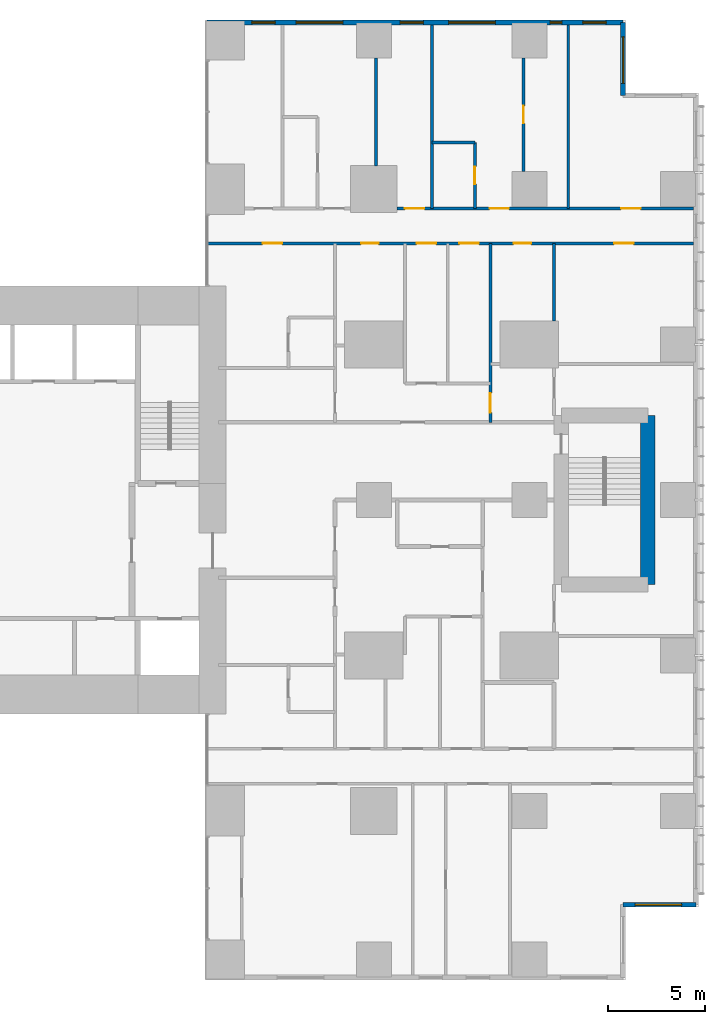
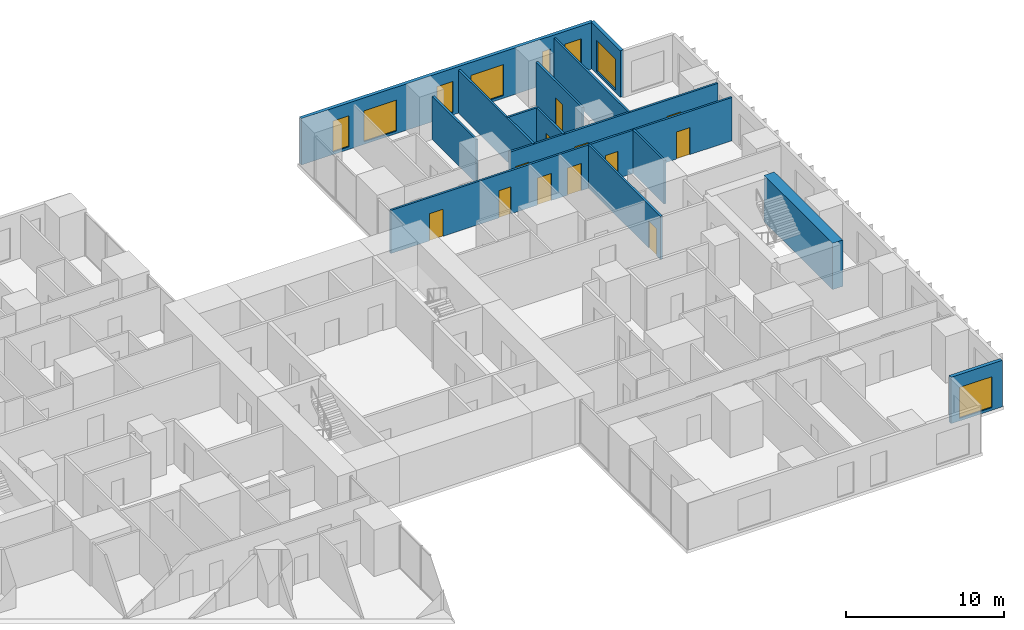
# One storey, part 18 of 20: 14 walls, 12 doors, 8 windows, 20 openings.
"""IFC4 building model written with IfcOpenShell, lengths in metres."""

from ifc_helpers import new_model, si_unit, direction, frame, frame_2d, origin, place, context, subcontext, project, spatial, rectangle, extrude, material, layer, layer_set, type_object, element, fill, save


model = new_model("IFC4")

# Units and contexts
model_context = context("Model", 3, precision=1e-05, world=origin(), true_north=direction((0.0, 1.0)))
body_context = subcontext(model_context, "Body", "Model", "MODEL_VIEW")
ifc_project = project(units=[si_unit("LENGTHUNIT", "METRE"), si_unit("AREAUNIT", "SQUARE_METRE"), si_unit("VOLUMEUNIT", "CUBIC_METRE"), si_unit("PLANEANGLEUNIT", "RADIAN"), si_unit("MASSUNIT", "GRAM", prefix="KILO")], contexts=[model_context])

# Site, building, storey
site_placement = place(None, origin())
site = spatial("IfcSite", under=ifc_project, at=site_placement, CompositionType="ELEMENT")
building_placement = place(site_placement, origin())
building = spatial("IfcBuilding", under=site, at=building_placement, Name="Cleftline Residences", CompositionType="ELEMENT")
storey_placement = place(building_placement, frame((0.0, 0.0, 203.800048828125)))
storey = spatial("IfcBuildingStorey", under=building, at=storey_placement, Name="L53", CompositionType="ELEMENT", Elevation=203.800048828125)

# Wall, opening, window
ifc_material_1 = material(Name="Rendered reinforced concrete blockwork", Category="masonry")
ifc_layer_1 = layer(ifc_material_1, 0.25)
ifc_layer_set_1 = layer_set([ifc_layer_1], Name="EXTERNAL WALL 250")
wall_type_1 = type_object("IfcWallType", Name="EXTERNAL WALL 250", PredefinedType="SOLIDWALL", material=ifc_layer_set_1)
wall_1_placement = place(storey_placement, frame((62.824951171875, 3.175048828125, 0.0), z_axis=(0.0, 0.0, 1.0), x_axis=(1.0, 0.0, 0.0)))
wall_1 = element("IfcWall", 1, at=wall_1_placement, inside=storey, type_object=wall_type_1, Name="External wall", PredefinedType="SOLIDWALL", context=body_context, shape_type="SweptSolid", body=[
    extrude(rectangle(XDim=3.75, YDim=0.25, at=frame_2d((1.875, 0.0))), origin(), (0.0, 0.0, 1.0), 3.599853515625),
])
opening_1_placement = place(wall_1_placement, frame((0.612548828125, 0.0, 0.199951171875)))
opening_1 = element("IfcOpeningElement", 2, at=opening_1_placement, cuts=wall_1, Name="Opening W9", PredefinedType="OPENING", context=body_context, shape_type="SweptSolid", body=[
    extrude(rectangle(XDim=2.39990234375, YDim=2.39990234375, at=frame_2d((1.199951171875, 1.199951171875))), frame((0.0, 0.135009765625, 0.0), z_axis=(0.0, -1.0, 0.0), x_axis=(1.0, 0.0, 0.0)), (0.0, 0.0, 1.0), 0.27001953125),
])
ifc_material_2 = material(Name="Aluminium frame, clear double glazing", Category="aluminium")
window_type_1 = type_object("IfcWindowType", Name="WINDOW 2400X2400", PartitioningType="DOUBLE_PANEL_VERTICAL", PredefinedType="WINDOW", material=ifc_material_2)
window_1_placement = place(opening_1_placement, origin())
window_1 = element("IfcWindow", 3, at=window_1_placement, inside=storey, type_object=window_type_1, Name="Window", OverallHeight=2.39990234375, OverallWidth=2.39990234375, PartitioningType="SINGLE_PANEL", PredefinedType="WINDOW", context=body_context, shape_type="SweptSolid", body=[
    extrude(rectangle(XDim=2.39990234375, YDim=2.39990234375, at=frame_2d((1.199951171875, 1.199951171875))), frame((0.0, 0.030029296875, 0.0), z_axis=(0.0, -1.0, 0.0), x_axis=(1.0, 0.0, 0.0)), (0.0, 0.0, 1.0), 0.06005859375),
])
fill(opening_1, window_1)

wall_2_placement = place(storey_placement, frame((62.824951171875, 44.824951171875, 0.0), z_axis=(0.0, 0.0, 1.0), x_axis=(0.0, 1.0, 0.0)))
wall_2 = element("IfcWall", 4, at=wall_2_placement, inside=storey, type_object=wall_type_1, Name="External wall", PredefinedType="SOLIDWALL", context=body_context, shape_type="SweptSolid", body=[
    extrude(rectangle(XDim=3.75, YDim=0.25, at=frame_2d((1.875, 0.0))), origin(), (0.0, 0.0, 1.0), 3.599853515625),
])
opening_2_placement = place(wall_2_placement, frame((0.612548828125, 0.0, 0.199951171875)))
opening_2 = element("IfcOpeningElement", 5, at=opening_2_placement, cuts=wall_2, Name="Opening W9", PredefinedType="OPENING", context=body_context, shape_type="SweptSolid", body=[
    extrude(rectangle(XDim=2.39990234375, YDim=2.39990234375, at=frame_2d((1.199951171875, 1.199951171875))), frame((0.0, 0.135009765625, 0.0), z_axis=(0.0, -1.0, 0.0), x_axis=(1.0, 0.0, 0.0)), (0.0, 0.0, 1.0), 0.27001953125),
])
window_2_placement = place(opening_2_placement, origin())
window_2 = element("IfcWindow", 6, at=window_2_placement, inside=storey, type_object=window_type_1, Name="Window", OverallHeight=2.39990234375, OverallWidth=2.39990234375, PartitioningType="SINGLE_PANEL", PredefinedType="WINDOW", context=body_context, shape_type="SweptSolid", body=[
    extrude(rectangle(XDim=2.39990234375, YDim=2.39990234375, at=frame_2d((1.199951171875, 1.199951171875))), frame((0.0, 0.030029296875, 0.0), z_axis=(0.0, -1.0, 0.0), x_axis=(1.0, 0.0, 0.0)), (0.0, 0.0, 1.0), 0.06005859375),
])
fill(opening_2, window_2)

# Wall, openings, windows
wall_3_placement = place(storey_placement, frame((62.824951171875, 48.574951171875, 0.0), z_axis=(0.0, 0.0, 1.0), x_axis=(-1.0, 0.0, 0.0)))
wall_3 = element("IfcWall", 7, at=wall_3_placement, inside=storey, type_object=wall_type_1, Name="External wall", PredefinedType="SOLIDWALL", context=body_context, shape_type="SweptSolid", body=[
    extrude(rectangle(XDim=21.39990234375, YDim=0.25, at=frame_2d((10.699951171875, 0.0))), origin(), (0.0, 0.0, 1.0), 3.599853515625),
])
opening_3_placement = place(wall_3_placement, frame((0.875, 0.0, 0.199951171875)))
opening_3 = element("IfcOpeningElement", 8, at=opening_3_placement, cuts=wall_3, Name="Opening W13", PredefinedType="OPENING", context=body_context, shape_type="SweptSolid", body=[
    extrude(rectangle(XDim=1.199951171875, YDim=2.39990234375, at=frame_2d((0.60009765625, 1.199951171875))), frame((0.0, 0.135009765625, 0.0), z_axis=(0.0, -1.0, 0.0), x_axis=(1.0, 0.0, 0.0)), (0.0, 0.0, 1.0), 0.27001953125),
])
opening_4_placement = place(wall_3_placement, frame((3.14990234375, 0.0, 0.199951171875)))
opening_4 = element("IfcOpeningElement", 9, at=opening_4_placement, cuts=wall_3, Name="Opening W14", PredefinedType="OPENING", context=body_context, shape_type="SweptSolid", body=[
    extrude(rectangle(XDim=0.60009765625, YDim=2.39990234375, at=frame_2d((0.300048828125, 1.199951171875))), frame((0.0, 0.135009765625, 0.0), z_axis=(0.0, -1.0, 0.0), x_axis=(1.0, 0.0, 0.0)), (0.0, 0.0, 1.0), 0.27001953125),
])
opening_5_placement = place(wall_3_placement, frame((6.574951171875, 0.0, 0.199951171875)))
opening_5 = element("IfcOpeningElement", 10, at=opening_5_placement, cuts=wall_3, Name="Opening W9", PredefinedType="OPENING", context=body_context, shape_type="SweptSolid", body=[
    extrude(rectangle(XDim=2.39990234375, YDim=2.39990234375, at=frame_2d((1.199951171875, 1.199951171875))), frame((0.0, 0.135009765625, 0.0), z_axis=(0.0, -1.0, 0.0), x_axis=(1.0, 0.0, 0.0)), (0.0, 0.0, 1.0), 0.27001953125),
])
opening_6_placement = place(wall_3_placement, frame((10.27490234375, 0.0, 0.199951171875)))
opening_6 = element("IfcOpeningElement", 11, at=opening_6_placement, cuts=wall_3, Name="Opening W13", PredefinedType="OPENING", context=body_context, shape_type="SweptSolid", body=[
    extrude(rectangle(XDim=1.199951171875, YDim=2.39990234375, at=frame_2d((0.60009765625, 1.199951171875))), frame((0.0, 0.135009765625, 0.0), z_axis=(0.0, -1.0, 0.0), x_axis=(1.0, 0.0, 0.0)), (0.0, 0.0, 1.0), 0.27001953125),
])
opening_7_placement = place(wall_3_placement, frame((14.425048828125, 0.0, 0.199951171875)))
opening_7 = element("IfcOpeningElement", 12, at=opening_7_placement, cuts=wall_3, Name="Opening W9", PredefinedType="OPENING", context=body_context, shape_type="SweptSolid", body=[
    extrude(rectangle(XDim=2.39990234375, YDim=2.39990234375, at=frame_2d((1.199951171875, 1.199951171875))), frame((0.0, 0.135009765625, 0.0), z_axis=(0.0, -1.0, 0.0), x_axis=(1.0, 0.0, 0.0)), (0.0, 0.0, 1.0), 0.27001953125),
])
opening_8_placement = place(wall_3_placement, frame((17.89990234375, 0.0, 0.199951171875)))
opening_8 = element("IfcOpeningElement", 13, at=opening_8_placement, cuts=wall_3, Name="Opening W13", PredefinedType="OPENING", context=body_context, shape_type="SweptSolid", body=[
    extrude(rectangle(XDim=1.199951171875, YDim=2.39990234375, at=frame_2d((0.60009765625, 1.199951171875))), frame((0.0, 0.135009765625, 0.0), z_axis=(0.0, -1.0, 0.0), x_axis=(1.0, 0.0, 0.0)), (0.0, 0.0, 1.0), 0.27001953125),
])
ifc_material_3 = material(Name="Aluminium frame, clear double glazing", Category="aluminium")
window_type_2 = type_object("IfcWindowType", Name="WINDOW 1200X2400", PartitioningType="DOUBLE_PANEL_VERTICAL", PredefinedType="WINDOW", material=ifc_material_3)
window_3_placement = place(opening_3_placement, origin())
window_3 = element("IfcWindow", 14, at=window_3_placement, inside=storey, type_object=window_type_2, Name="Window", OverallHeight=2.39990234375, OverallWidth=1.199951171875, PartitioningType="SINGLE_PANEL", PredefinedType="WINDOW", context=body_context, shape_type="SweptSolid", body=[
    extrude(rectangle(XDim=1.199951171875, YDim=2.39990234375, at=frame_2d((0.60009765625, 1.199951171875))), frame((0.0, 0.030029296875, 0.0), z_axis=(0.0, -1.0, 0.0), x_axis=(1.0, 0.0, 0.0)), (0.0, 0.0, 1.0), 0.06005859375),
])
fill(opening_3, window_3)
window_4_placement = place(opening_6_placement, origin())
window_4 = element("IfcWindow", 15, at=window_4_placement, inside=storey, type_object=window_type_2, Name="Window", OverallHeight=2.39990234375, OverallWidth=1.199951171875, PartitioningType="SINGLE_PANEL", PredefinedType="WINDOW", context=body_context, shape_type="SweptSolid", body=[
    extrude(rectangle(XDim=1.199951171875, YDim=2.39990234375, at=frame_2d((0.60009765625, 1.199951171875))), frame((0.0, 0.030029296875, 0.0), z_axis=(0.0, -1.0, 0.0), x_axis=(1.0, 0.0, 0.0)), (0.0, 0.0, 1.0), 0.06005859375),
])
fill(opening_6, window_4)
window_5_placement = place(opening_8_placement, origin())
window_5 = element("IfcWindow", 16, at=window_5_placement, inside=storey, type_object=window_type_2, Name="Window", OverallHeight=2.39990234375, OverallWidth=1.199951171875, PartitioningType="SINGLE_PANEL", PredefinedType="WINDOW", context=body_context, shape_type="SweptSolid", body=[
    extrude(rectangle(XDim=1.199951171875, YDim=2.39990234375, at=frame_2d((0.60009765625, 1.199951171875))), frame((0.0, 0.030029296875, 0.0), z_axis=(0.0, -1.0, 0.0), x_axis=(1.0, 0.0, 0.0)), (0.0, 0.0, 1.0), 0.06005859375),
])
fill(opening_8, window_5)
window_6_placement = place(opening_5_placement, origin())
window_6 = element("IfcWindow", 17, at=window_6_placement, inside=storey, type_object=window_type_1, Name="Window", OverallHeight=2.39990234375, OverallWidth=2.39990234375, PartitioningType="SINGLE_PANEL", PredefinedType="WINDOW", context=body_context, shape_type="SweptSolid", body=[
    extrude(rectangle(XDim=2.39990234375, YDim=2.39990234375, at=frame_2d((1.199951171875, 1.199951171875))), frame((0.0, 0.030029296875, 0.0), z_axis=(0.0, -1.0, 0.0), x_axis=(1.0, 0.0, 0.0)), (0.0, 0.0, 1.0), 0.06005859375),
])
fill(opening_5, window_6)
window_7_placement = place(opening_7_placement, origin())
window_7 = element("IfcWindow", 18, at=window_7_placement, inside=storey, type_object=window_type_1, Name="Window", OverallHeight=2.39990234375, OverallWidth=2.39990234375, PartitioningType="SINGLE_PANEL", PredefinedType="WINDOW", context=body_context, shape_type="SweptSolid", body=[
    extrude(rectangle(XDim=2.39990234375, YDim=2.39990234375, at=frame_2d((1.199951171875, 1.199951171875))), frame((0.0, 0.030029296875, 0.0), z_axis=(0.0, -1.0, 0.0), x_axis=(1.0, 0.0, 0.0)), (0.0, 0.0, 1.0), 0.06005859375),
])
fill(opening_7, window_7)
ifc_material_4 = material(Name="Aluminium frame, clear double glazing", Category="aluminium")
window_type_3 = type_object("IfcWindowType", Name="WINDOW 600X2400", PartitioningType="DOUBLE_PANEL_VERTICAL", PredefinedType="WINDOW", material=ifc_material_4)
window_8_placement = place(opening_4_placement, origin())
window_8 = element("IfcWindow", 19, at=window_8_placement, inside=storey, type_object=window_type_3, Name="Window", OverallHeight=2.39990234375, OverallWidth=0.60009765625, PartitioningType="SINGLE_PANEL", PredefinedType="WINDOW", context=body_context, shape_type="SweptSolid", body=[
    extrude(rectangle(XDim=0.60009765625, YDim=2.39990234375, at=frame_2d((0.300048828125, 1.199951171875))), frame((0.0, 0.030029296875, 0.0), z_axis=(0.0, -1.0, 0.0), x_axis=(1.0, 0.0, 0.0)), (0.0, 0.0, 1.0), 0.06005859375),
])
fill(opening_4, window_8)

# Wall, openings, doors
ifc_material_5 = material(Name="Gypsum board on steel studs", Category="steel")
ifc_layer_2 = layer(ifc_material_5, 0.14990234375)
ifc_layer_set_2 = layer_set([ifc_layer_2], Name="PARTITION 150")
wall_type_2 = type_object("IfcWallType", Name="PARTITION 150", PredefinedType="PARTITIONING", material=ifc_layer_set_2)
wall_4_placement = place(storey_placement, frame((41.43896484375, 37.199951171875, 0.0), z_axis=(0.0, 0.0, 1.0), x_axis=(1.0, 0.0, 0.0)))
wall_4 = element("IfcWall", 20, at=wall_4_placement, inside=storey, type_object=wall_type_2, Name="Partition", PredefinedType="PARTITIONING", context=body_context, shape_type="SweptSolid", body=[
    extrude(rectangle(XDim=25.010986328125, YDim=0.14990234375, at=frame_2d((12.50537109375, 0.0))), origin(), (0.0, 0.0, 1.0), 3.349853515625),
])
opening_9_placement = place(wall_4_placement, frame((10.760986328125, 0.0, 0.0)))
opening_9 = element("IfcOpeningElement", 21, at=opening_9_placement, cuts=wall_4, Name="Opening D2", PredefinedType="OPENING", context=body_context, shape_type="SweptSolid", body=[
    extrude(rectangle(XDim=1.0, YDim=2.10009765625, at=frame_2d((0.5, 1.050048828125))), frame((0.0, 0.0849609375, 0.0), z_axis=(0.0, -1.0, 0.0), x_axis=(1.0, 0.0, 0.0)), (0.0, 0.0, 1.0), 0.169921875),
])
opening_10_placement = place(wall_4_placement, frame((20.923583984375, 0.0, 0.0)))
opening_10 = element("IfcOpeningElement", 22, at=opening_10_placement, cuts=wall_4, Name="Opening D2", PredefinedType="OPENING", context=body_context, shape_type="SweptSolid", body=[
    extrude(rectangle(XDim=1.0, YDim=2.10009765625, at=frame_2d((0.5, 1.050048828125))), frame((0.0, 0.0849609375, 0.0), z_axis=(0.0, -1.0, 0.0), x_axis=(1.0, 0.0, 0.0)), (0.0, 0.0, 1.0), 0.169921875),
])
opening_11_placement = place(wall_4_placement, frame((15.74853515625, 0.0, 0.0)))
opening_11 = element("IfcOpeningElement", 23, at=opening_11_placement, cuts=wall_4, Name="Opening D1", PredefinedType="OPENING", context=body_context, shape_type="SweptSolid", body=[
    extrude(rectangle(XDim=0.89990234375, YDim=2.10009765625, at=frame_2d((0.449951171875, 1.050048828125))), frame((0.0, 0.0849609375, 0.0), z_axis=(0.0, -1.0, 0.0), x_axis=(1.0, 0.0, 0.0)), (0.0, 0.0, 1.0), 0.169921875),
])
opening_12_placement = place(wall_4_placement, frame((12.9609375, 0.0, 0.0)))
opening_12 = element("IfcOpeningElement", 24, at=opening_12_placement, cuts=wall_4, Name="Opening D2", PredefinedType="OPENING", context=body_context, shape_type="SweptSolid", body=[
    extrude(rectangle(XDim=1.0, YDim=2.10009765625, at=frame_2d((0.5, 1.050048828125))), frame((0.0, 0.0849609375, 0.0), z_axis=(0.0, -1.0, 0.0), x_axis=(1.0, 0.0, 0.0)), (0.0, 0.0, 1.0), 0.169921875),
])
opening_13_placement = place(wall_4_placement, frame((7.910888671875, 0.0, 0.0)))
opening_13 = element("IfcOpeningElement", 25, at=opening_13_placement, cuts=wall_4, Name="Opening D1", PredefinedType="OPENING", context=body_context, shape_type="SweptSolid", body=[
    extrude(rectangle(XDim=0.89990234375, YDim=2.10009765625, at=frame_2d((0.449951171875, 1.050048828125))), frame((0.0, 0.0849609375, 0.0), z_axis=(0.0, -1.0, 0.0), x_axis=(1.0, 0.0, 0.0)), (0.0, 0.0, 1.0), 0.169921875),
])
opening_14_placement = place(wall_4_placement, frame((2.8359375, 0.0, 0.0)))
opening_14 = element("IfcOpeningElement", 26, at=opening_14_placement, cuts=wall_4, Name="Opening D2", PredefinedType="OPENING", context=body_context, shape_type="SweptSolid", body=[
    extrude(rectangle(XDim=1.0, YDim=2.10009765625, at=frame_2d((0.5, 1.050048828125))), frame((0.0, 0.0849609375, 0.0), z_axis=(0.0, -1.0, 0.0), x_axis=(1.0, 0.0, 0.0)), (0.0, 0.0, 1.0), 0.169921875),
])
ifc_material_6 = material(Name="Timber veneer on solid core", Category="wood")
door_type_1 = type_object("IfcDoorType", Name="DOOR 1000X2100", OperationType="SINGLE_SWING_LEFT", PredefinedType="DOOR", material=ifc_material_6)
door_1_placement = place(opening_9_placement, origin())
door_1 = element("IfcDoor", 27, at=door_1_placement, inside=storey, type_object=door_type_1, Name="Door to residence hall", OperationType="SINGLE_SWING_RIGHT", OverallHeight=2.10009765625, OverallWidth=1.0, PredefinedType="DOOR", context=body_context, shape_type="SweptSolid", body=[
    extrude(rectangle(XDim=1.0, YDim=2.10009765625, at=frame_2d((0.5, 1.050048828125))), frame((0.0, 0.02490234375, 0.0), z_axis=(0.0, -1.0, 0.0), x_axis=(1.0, 0.0, 0.0)), (0.0, 0.0, 1.0), 0.050048828125),
])
fill(opening_9, door_1)
door_2_placement = place(opening_10_placement, origin())
door_2 = element("IfcDoor", 28, at=door_2_placement, inside=storey, type_object=door_type_1, Name="Door to master bedroom", OperationType="SINGLE_SWING_LEFT", OverallHeight=2.10009765625, OverallWidth=1.0, PredefinedType="DOOR", context=body_context, shape_type="SweptSolid", body=[
    extrude(rectangle(XDim=1.0, YDim=2.10009765625, at=frame_2d((0.5, 1.050048828125))), frame((0.0, 0.02490234375, 0.0), z_axis=(0.0, -1.0, 0.0), x_axis=(1.0, 0.0, 0.0)), (0.0, 0.0, 1.0), 0.050048828125),
])
fill(opening_10, door_2)
door_3_placement = place(opening_12_placement, origin())
door_3 = element("IfcDoor", 29, at=door_3_placement, inside=storey, type_object=door_type_1, Name="Door to family room", OperationType="SINGLE_SWING_LEFT", OverallHeight=2.10009765625, OverallWidth=1.0, PredefinedType="DOOR", context=body_context, shape_type="SweptSolid", body=[
    extrude(rectangle(XDim=1.0, YDim=2.10009765625, at=frame_2d((0.5, 1.050048828125))), frame((0.0, 0.02490234375, 0.0), z_axis=(0.0, -1.0, 0.0), x_axis=(1.0, 0.0, 0.0)), (0.0, 0.0, 1.0), 0.050048828125),
])
fill(opening_12, door_3)
door_4_placement = place(opening_14_placement, origin())
door_4 = element("IfcDoor", 30, at=door_4_placement, inside=storey, type_object=door_type_1, Name="Door to bedroom 4", OperationType="SINGLE_SWING_RIGHT", OverallHeight=2.10009765625, OverallWidth=1.0, PredefinedType="DOOR", context=body_context, shape_type="SweptSolid", body=[
    extrude(rectangle(XDim=1.0, YDim=2.10009765625, at=frame_2d((0.5, 1.050048828125))), frame((0.0, 0.02490234375, 0.0), z_axis=(0.0, -1.0, 0.0), x_axis=(1.0, 0.0, 0.0)), (0.0, 0.0, 1.0), 0.050048828125),
])
fill(opening_14, door_4)
ifc_material_7 = material(Name="Timber veneer on solid core", Category="wood")
door_type_2 = type_object("IfcDoorType", Name="DOOR 900X2100", OperationType="SINGLE_SWING_LEFT", PredefinedType="DOOR", material=ifc_material_7)
door_5_placement = place(opening_11_placement, origin())
door_5 = element("IfcDoor", 31, at=door_5_placement, inside=storey, type_object=door_type_2, Name="Door to master bathroom", OperationType="SINGLE_SWING_LEFT", OverallHeight=2.10009765625, OverallWidth=0.89990234375, PredefinedType="DOOR", context=body_context, shape_type="SweptSolid", body=[
    extrude(rectangle(XDim=0.89990234375, YDim=2.10009765625, at=frame_2d((0.449951171875, 1.050048828125))), frame((0.0, 0.02490234375, 0.0), z_axis=(0.0, -1.0, 0.0), x_axis=(1.0, 0.0, 0.0)), (0.0, 0.0, 1.0), 0.050048828125),
])
fill(opening_11, door_5)
door_6_placement = place(opening_13_placement, origin())
door_6 = element("IfcDoor", 32, at=door_6_placement, inside=storey, type_object=door_type_2, Name="Door to master dressing room", OperationType="SINGLE_SWING_RIGHT", OverallHeight=2.10009765625, OverallWidth=0.89990234375, PredefinedType="DOOR", context=body_context, shape_type="SweptSolid", body=[
    extrude(rectangle(XDim=0.89990234375, YDim=2.10009765625, at=frame_2d((0.449951171875, 1.050048828125))), frame((0.0, 0.02490234375, 0.0), z_axis=(0.0, -1.0, 0.0), x_axis=(1.0, 0.0, 0.0)), (0.0, 0.0, 1.0), 0.050048828125),
])
fill(opening_13, door_6)

wall_5_placement = place(storey_placement, frame((51.199951171875, 39.0, 0.0), z_axis=(0.0, 0.0, 1.0), x_axis=(1.0, 0.0, 0.0)))
wall_5 = element("IfcWall", 33, at=wall_5_placement, inside=storey, type_object=wall_type_2, Name="Partition", PredefinedType="PARTITIONING", context=body_context, shape_type="SweptSolid", body=[
    extrude(rectangle(XDim=15.25, YDim=0.14990234375, at=frame_2d((7.625, 0.0))), origin(), (0.0, 0.0, 1.0), 3.349853515625),
])
opening_15_placement = place(wall_5_placement, frame((11.52490234375, 0.0, 0.0)))
opening_15 = element("IfcOpeningElement", 34, at=opening_15_placement, cuts=wall_5, Name="Opening D2", PredefinedType="OPENING", context=body_context, shape_type="SweptSolid", body=[
    extrude(rectangle(XDim=1.0, YDim=2.10009765625, at=frame_2d((0.5, 1.050048828125))), frame((0.0, 0.0849609375, 0.0), z_axis=(0.0, -1.0, 0.0), x_axis=(1.0, 0.0, 0.0)), (0.0, 0.0, 1.0), 0.169921875),
])
opening_16_placement = place(wall_5_placement, frame((4.75, 0.0, 0.0)))
opening_16 = element("IfcOpeningElement", 35, at=opening_16_placement, cuts=wall_5, Name="Opening D2", PredefinedType="OPENING", context=body_context, shape_type="SweptSolid", body=[
    extrude(rectangle(XDim=1.0, YDim=2.10009765625, at=frame_2d((0.5, 1.050048828125))), frame((0.0, 0.0849609375, 0.0), z_axis=(0.0, -1.0, 0.0), x_axis=(1.0, 0.0, 0.0)), (0.0, 0.0, 1.0), 0.169921875),
])
opening_17_placement = place(wall_5_placement, frame((0.39990234375, 0.0, 0.0)))
opening_17 = element("IfcOpeningElement", 36, at=opening_17_placement, cuts=wall_5, Name="Opening D2", PredefinedType="OPENING", context=body_context, shape_type="SweptSolid", body=[
    extrude(rectangle(XDim=1.0, YDim=2.10009765625, at=frame_2d((0.5, 1.050048828125))), frame((0.0, 0.0849609375, 0.0), z_axis=(0.0, -1.0, 0.0), x_axis=(1.0, 0.0, 0.0)), (0.0, 0.0, 1.0), 0.169921875),
])
door_7_placement = place(opening_15_placement, origin())
door_7 = element("IfcDoor", 37, at=door_7_placement, inside=storey, type_object=door_type_1, Name="Door to gym", OperationType="SINGLE_SWING_LEFT", OverallHeight=2.10009765625, OverallWidth=1.0, PredefinedType="DOOR", context=body_context, shape_type="SweptSolid", body=[
    extrude(rectangle(XDim=1.0, YDim=2.10009765625, at=frame_2d((0.5, 1.050048828125))), frame((0.0, 0.02490234375, 0.0), z_axis=(0.0, -1.0, 0.0), x_axis=(1.0, 0.0, 0.0)), (0.0, 0.0, 1.0), 0.050048828125),
])
fill(opening_15, door_7)
door_8_placement = place(opening_16_placement, origin())
door_8 = element("IfcDoor", 38, at=door_8_placement, inside=storey, type_object=door_type_1, Name="Door to bedroom 2", OperationType="SINGLE_SWING_RIGHT", OverallHeight=2.10009765625, OverallWidth=1.0, PredefinedType="DOOR", context=body_context, shape_type="SweptSolid", body=[
    extrude(rectangle(XDim=1.0, YDim=2.10009765625, at=frame_2d((0.5, 1.050048828125))), frame((0.0, 0.02490234375, 0.0), z_axis=(0.0, -1.0, 0.0), x_axis=(1.0, 0.0, 0.0)), (0.0, 0.0, 1.0), 0.050048828125),
])
fill(opening_16, door_8)
door_9_placement = place(opening_17_placement, origin())
door_9 = element("IfcDoor", 39, at=door_9_placement, inside=storey, type_object=door_type_1, Name="Door to bedroom 3 sitting room", OperationType="SINGLE_SWING_RIGHT", OverallHeight=2.10009765625, OverallWidth=1.0, PredefinedType="DOOR", context=body_context, shape_type="SweptSolid", body=[
    extrude(rectangle(XDim=1.0, YDim=2.10009765625, at=frame_2d((0.5, 1.050048828125))), frame((0.0, 0.02490234375, 0.0), z_axis=(0.0, -1.0, 0.0), x_axis=(1.0, 0.0, 0.0)), (0.0, 0.0, 1.0), 0.050048828125),
])
fill(opening_17, door_9)

# Walls
wall_6_placement = place(storey_placement, frame((53.0, 42.39990234375, 0.0), z_axis=(0.0, 0.0, 1.0), x_axis=(1.0, 0.0, 0.0)))
element("IfcWall", 40, at=wall_6_placement, inside=storey, type_object=wall_type_2, Name="Partition", PredefinedType="PARTITIONING", context=body_context, shape_type="SweptSolid", body=[
    extrude(rectangle(XDim=2.199951171875, YDim=0.14990234375, at=frame_2d((1.10009765625, 0.0))), origin(), (0.0, 0.0, 1.0), 3.349853515625),
])
wall_7_placement = place(storey_placement, frame((50.10009765625, 41.199951171875, 0.0), z_axis=(0.0, 0.0, 1.0), x_axis=(0.0, 1.0, 0.0)))
element("IfcWall", 41, at=wall_7_placement, inside=storey, type_object=wall_type_2, Name="Partition", PredefinedType="PARTITIONING", context=body_context, shape_type="SweptSolid", body=[
    extrude(rectangle(XDim=5.550048828125, YDim=0.14990234375, at=frame_2d((2.77490234375, 0.0))), origin(), (0.0, 0.0, 1.0), 3.349853515625),
])
wall_8_placement = place(storey_placement, frame((53.0, 39.0, 0.0), z_axis=(0.0, 0.0, 1.0), x_axis=(0.0, 1.0, 0.0)))
element("IfcWall", 42, at=wall_8_placement, inside=storey, type_object=wall_type_2, Name="Partition", PredefinedType="PARTITIONING", context=body_context, shape_type="SweptSolid", body=[
    extrude(rectangle(XDim=9.449951171875, YDim=0.14990234375, at=frame_2d((4.72509765625, 0.0))), origin(), (0.0, 0.0, 1.0), 3.349853515625),
])

# Wall, opening, door
wall_9_placement = place(storey_placement, frame((55.199951171875, 39.0, 0.0), z_axis=(0.0, 0.0, 1.0), x_axis=(0.0, 1.0, 0.0)))
wall_9 = element("IfcWall", 43, at=wall_9_placement, inside=storey, type_object=wall_type_2, Name="Partition", PredefinedType="PARTITIONING", context=body_context, shape_type="SweptSolid", body=[
    extrude(rectangle(XDim=3.39990234375, YDim=0.14990234375, at=frame_2d((1.699951171875, 0.0))), origin(), (0.0, 0.0, 1.0), 3.349853515625),
])
opening_18_placement = place(wall_9_placement, frame((1.25, 0.0, 0.0)))
opening_18 = element("IfcOpeningElement", 44, at=opening_18_placement, cuts=wall_9, Name="Opening D1", PredefinedType="OPENING", context=body_context, shape_type="SweptSolid", body=[
    extrude(rectangle(XDim=0.89990234375, YDim=2.10009765625, at=frame_2d((0.449951171875, 1.050048828125))), frame((0.0, 0.0849609375, 0.0), z_axis=(0.0, -1.0, 0.0), x_axis=(1.0, 0.0, 0.0)), (0.0, 0.0, 1.0), 0.169921875),
])
door_10_placement = place(opening_18_placement, origin())
door_10 = element("IfcDoor", 45, at=door_10_placement, inside=storey, type_object=door_type_2, Name="Door to en-suite bathroom 2", OperationType="SINGLE_SWING_LEFT", OverallHeight=2.10009765625, OverallWidth=0.89990234375, PredefinedType="DOOR", context=body_context, shape_type="SweptSolid", body=[
    extrude(rectangle(XDim=0.89990234375, YDim=2.10009765625, at=frame_2d((0.449951171875, 1.050048828125))), frame((0.0, 0.02490234375, 0.0), z_axis=(0.0, -1.0, 0.0), x_axis=(1.0, 0.0, 0.0)), (0.0, 0.0, 1.0), 0.050048828125),
])
fill(opening_18, door_10)

wall_10_placement = place(storey_placement, frame((56.0, 28.0, 0.0), z_axis=(0.0, 0.0, 1.0), x_axis=(0.0, 1.0, 0.0)))
wall_10 = element("IfcWall", 46, at=wall_10_placement, inside=storey, type_object=wall_type_2, Name="Partition", PredefinedType="PARTITIONING", context=body_context, shape_type="SweptSolid", body=[
    extrude(rectangle(XDim=9.199951171875, YDim=0.14990234375, at=frame_2d((4.60009765625, 0.0))), origin(), (0.0, 0.0, 1.0), 3.349853515625),
])
opening_19_placement = place(wall_10_placement, frame((0.5, 0.0, 0.0)))
opening_19 = element("IfcOpeningElement", 47, at=opening_19_placement, cuts=wall_10, Name="Opening D2F30", PredefinedType="OPENING", context=body_context, shape_type="SweptSolid", body=[
    extrude(rectangle(XDim=1.0, YDim=2.10009765625, at=frame_2d((0.5, 1.050048828125))), frame((0.0, 0.0849609375, 0.0), z_axis=(0.0, -1.0, 0.0), x_axis=(1.0, 0.0, 0.0)), (0.0, 0.0, 1.0), 0.169921875),
])
ifc_material_8 = material(Name="Timber veneer on solid core", Category="wood")
door_type_3 = type_object("IfcDoorType", Name="DOOR 1000X2100 EI 30", OperationType="SINGLE_SWING_LEFT", PredefinedType="DOOR", material=ifc_material_8)
door_11_placement = place(opening_19_placement, origin())
door_11 = element("IfcDoor", 48, at=door_11_placement, inside=storey, type_object=door_type_3, Name="Door to residence lobby (service)", OperationType="SINGLE_SWING_RIGHT", OverallHeight=2.10009765625, OverallWidth=1.0, PredefinedType="DOOR", context=body_context, shape_type="SweptSolid", body=[
    extrude(rectangle(XDim=1.0, YDim=2.10009765625, at=frame_2d((0.5, 1.050048828125))), frame((0.0, 0.02490234375, 0.0), z_axis=(0.0, -1.0, 0.0), x_axis=(1.0, 0.0, 0.0)), (0.0, 0.0, 1.0), 0.050048828125),
])
fill(opening_19, door_11)

wall_11_placement = place(storey_placement, frame((57.699951171875, 40.89990234375, 0.0), z_axis=(0.0, 0.0, 1.0), x_axis=(0.0, 1.0, 0.0)))
wall_11 = element("IfcWall", 49, at=wall_11_placement, inside=storey, type_object=wall_type_2, Name="Partition", PredefinedType="PARTITIONING", context=body_context, shape_type="SweptSolid", body=[
    extrude(rectangle(XDim=5.85009765625, YDim=0.14990234375, at=frame_2d((2.925048828125, 0.0))), origin(), (0.0, 0.0, 1.0), 3.349853515625),
])
opening_20_placement = place(wall_11_placement, frame((2.47509765625, 0.0, 0.0)))
opening_20 = element("IfcOpeningElement", 50, at=opening_20_placement, cuts=wall_11, Name="Opening D1", PredefinedType="OPENING", context=body_context, shape_type="SweptSolid", body=[
    extrude(rectangle(XDim=0.89990234375, YDim=2.10009765625, at=frame_2d((0.449951171875, 1.050048828125))), frame((0.0, 0.0849609375, 0.0), z_axis=(0.0, -1.0, 0.0), x_axis=(1.0, 0.0, 0.0)), (0.0, 0.0, 1.0), 0.169921875),
])
door_12_placement = place(opening_20_placement, origin())
door_12 = element("IfcDoor", 51, at=door_12_placement, inside=storey, type_object=door_type_2, Name="Door to walk-in wardrobe", OperationType="SINGLE_SWING_LEFT", OverallHeight=2.10009765625, OverallWidth=0.89990234375, PredefinedType="DOOR", context=body_context, shape_type="SweptSolid", body=[
    extrude(rectangle(XDim=0.89990234375, YDim=2.10009765625, at=frame_2d((0.449951171875, 1.050048828125))), frame((0.0, 0.02490234375, 0.0), z_axis=(0.0, -1.0, 0.0), x_axis=(1.0, 0.0, 0.0)), (0.0, 0.0, 1.0), 0.050048828125),
])
fill(opening_20, door_12)

# Walls
wall_12_placement = place(storey_placement, frame((59.27490234375, 33.199951171875, 0.0), z_axis=(0.0, 0.0, 1.0), x_axis=(0.0, 1.0, 0.0)))
element("IfcWall", 52, at=wall_12_placement, inside=storey, type_object=wall_type_2, Name="Partition", PredefinedType="PARTITIONING", context=body_context, shape_type="SweptSolid", body=[
    extrude(rectangle(XDim=4.0, YDim=0.14990234375, at=frame_2d((2.0, 0.0))), origin(), (0.0, 0.0, 1.0), 3.349853515625),
])
wall_13_placement = place(storey_placement, frame((60.0, 39.0, 0.0), z_axis=(0.0, 0.0, 1.0), x_axis=(0.0, 1.0, 0.0)))
element("IfcWall", 53, at=wall_13_placement, inside=storey, type_object=wall_type_2, Name="Partition", PredefinedType="PARTITIONING", context=body_context, shape_type="SweptSolid", body=[
    extrude(rectangle(XDim=9.449951171875, YDim=0.14990234375, at=frame_2d((4.72509765625, 0.0))), origin(), (0.0, 0.0, 1.0), 3.349853515625),
])
ifc_material_9 = material(Name="Concrete B70", Category="concrete")
ifc_layer_3 = layer(ifc_material_9, 0.75)
ifc_layer_set_3 = layer_set([ifc_layer_3], Name="SHEAR WALL 750")
wall_type_3 = type_object("IfcWallType", Name="SHEAR WALL 750", PredefinedType="SHEAR", material=ifc_layer_set_3)
wall_14_placement = place(storey_placement, frame((64.10009765625, 19.64990234375, 0.0), z_axis=(0.0, 0.0, 1.0), x_axis=(0.0, 1.0, 0.0)))
element("IfcWall", 54, at=wall_14_placement, inside=storey, type_object=wall_type_3, Name="Wing shear wall", PredefinedType="SHEAR", context=body_context, shape_type="SweptSolid", body=[
    extrude(rectangle(XDim=8.7001953125, YDim=0.75, at=frame_2d((4.35009765625, 0.0))), origin(), (0.0, 0.0, 1.0), 3.599853515625),
])

save(model, "model.ifc")
